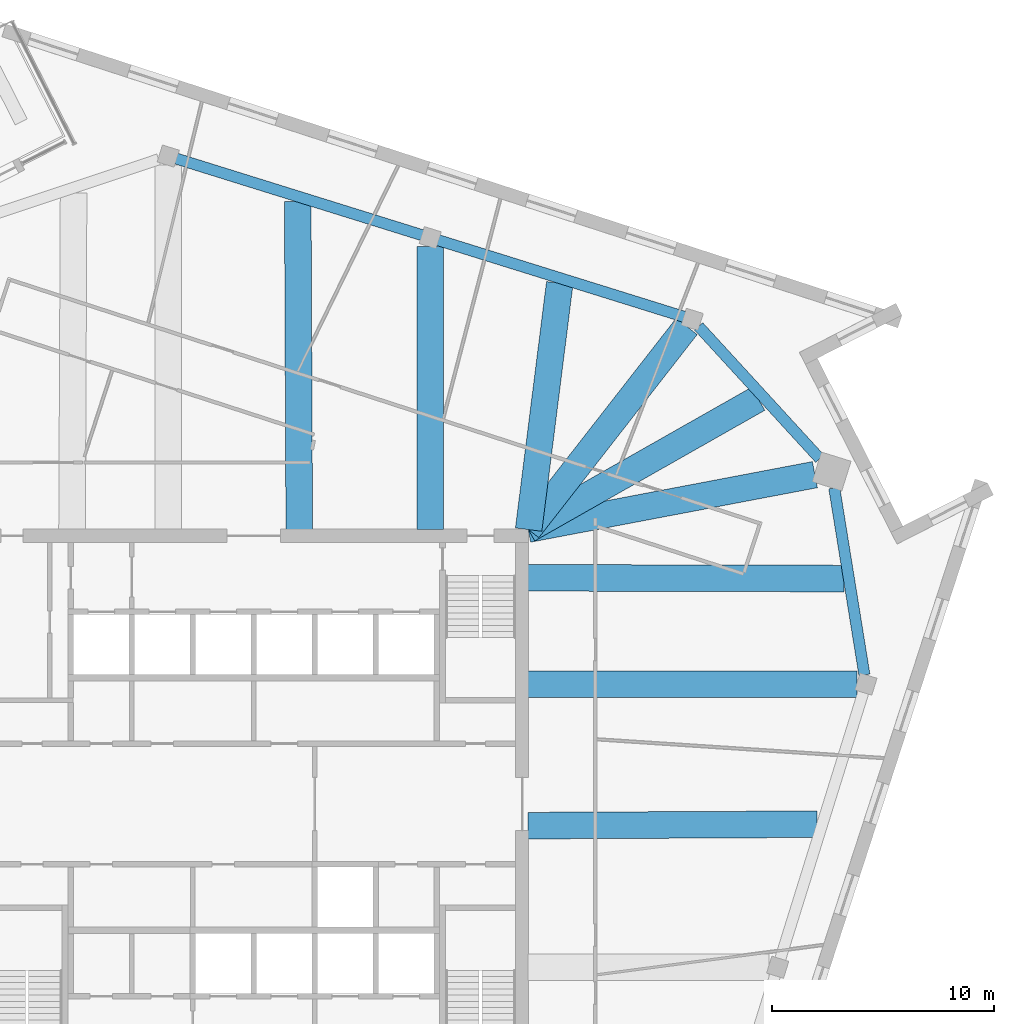
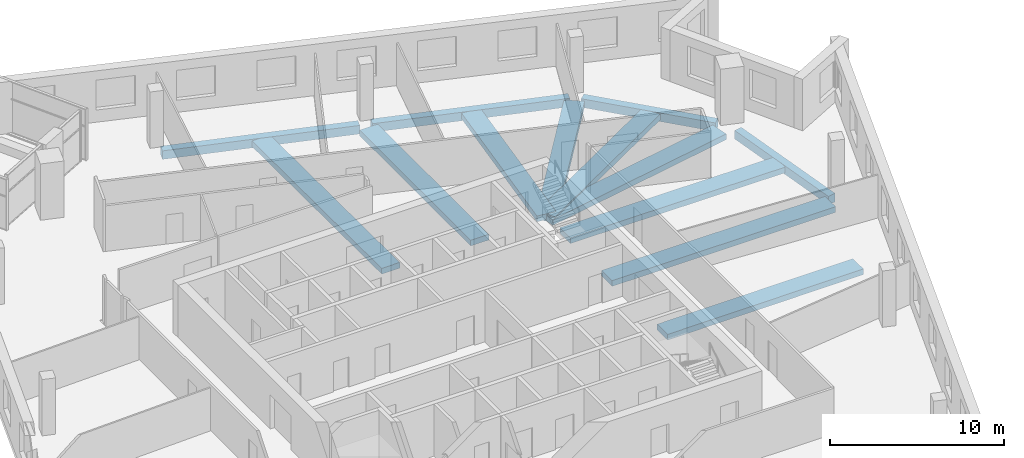
# One storey, part 3 of 13: 13 beams.
"""IFC4 building model written with IfcOpenShell, lengths in metres."""

from ifc_helpers import new_model, si_unit, direction, frame, origin, origin_2d, place, context, subcontext, project, spatial, rectangle, extrude, material, material_profile, profile_set, type_object, element, save


model = new_model("IFC4")

# Units and contexts
model_context = context("Model", 3, precision=1e-05, world=origin(), true_north=direction((0.0, 1.0)))
body_context = subcontext(model_context, "Body", "Model", "MODEL_VIEW")
ifc_project = project(units=[si_unit("LENGTHUNIT", "METRE"), si_unit("AREAUNIT", "SQUARE_METRE"), si_unit("VOLUMEUNIT", "CUBIC_METRE"), si_unit("PLANEANGLEUNIT", "RADIAN"), si_unit("MASSUNIT", "GRAM", prefix="KILO")], contexts=[model_context])

# Site, building, storey
site_placement = place(None, origin())
site = spatial("IfcSite", under=ifc_project, at=site_placement, CompositionType="ELEMENT")
building_placement = place(site_placement, origin())
building = spatial("IfcBuilding", under=site, at=building_placement, Name="Dilmun Exchange Tower", CompositionType="ELEMENT")
storey_placement = place(building_placement, frame((0.0, 0.0, 320.5)))
storey = spatial("IfcBuildingStorey", under=building, at=storey_placement, Name="L76", CompositionType="ELEMENT", Elevation=320.5)

# Beams
ifc_material = material(Name="Concrete C40/50", Category="concrete")
ifc_material_profile_1 = material_profile(ifc_material, rectangle(XDim=1.199951171875, YDim=0.39990234375, at=origin_2d()), Name="1200 x 400")
ifc_profile_set_1 = profile_set([ifc_material_profile_1], Name="Concrete C40/50")
beam_type_1 = type_object("IfcBeamType", Name="RC band beam 1200 x 400 C40/50", PredefinedType="BEAM", material=ifc_profile_set_1)
beam_1_placement = place(storey_placement, frame((27.216064453125, 5.406005859375, -0.64990234375), z_axis=(-1.0, 0.0, 0.0), x_axis=(0.0, -1.0, 0.0)))
element("IfcBeam", 1, at=beam_1_placement, inside=storey, type_object=beam_type_1, Name="Band beam 12", PredefinedType="BEAM", context=body_context, shape_type="SweptSolid", body=[
    extrude(rectangle(XDim=1.199951171875, YDim=0.39990234375, at=origin_2d()), origin(), (0.0, 0.0, 1.0), 14.843017578125),
])
beam_2_placement = place(storey_placement, frame((25.30712890625, 14.85205078125, -0.64990234375), z_axis=(-0.982429348436, -0.18663487169, 0.0), x_axis=(0.18663487169, -0.982429348436, 0.0)))
element("IfcBeam", 2, at=beam_2_placement, inside=storey, type_object=beam_type_1, Name="Band beam 13", PredefinedType="BEAM", context=body_context, shape_type="SweptSolid", body=[
    extrude(rectangle(XDim=1.199951171875, YDim=0.39990234375, at=origin_2d()), origin(), (0.0, 0.0, 1.0), 13.164794921875),
])
beam_3_placement = place(storey_placement, frame((19.52685546875, 21.541259765625, -0.64990234375), z_axis=(-0.614856714099, -0.788638840743, 0.0), x_axis=(0.788638840743, -0.614856714099, 0.0)))
element("IfcBeam", 3, at=beam_3_placement, inside=storey, type_object=beam_type_1, Name="Band beam 14", PredefinedType="BEAM", context=body_context, shape_type="SweptSolid", body=[
    extrude(rectangle(XDim=1.199951171875, YDim=0.39990234375, at=origin_2d()), origin(), (0.0, 0.0, 1.0), 11.6181640625),
])
beam_4_placement = place(storey_placement, frame((7.9580078125, 25.14697265625, -0.64990234375), z_axis=(0.0, -1.0, 0.0), x_axis=(1.0, 0.0, 0.0)))
element("IfcBeam", 4, at=beam_4_placement, inside=storey, type_object=beam_type_1, Name="Band beam 15", PredefinedType="BEAM", context=body_context, shape_type="SweptSolid", body=[
    extrude(rectangle(XDim=1.199951171875, YDim=0.39990234375, at=origin_2d()), origin(), (0.0, 0.0, 1.0), 12.77392578125),
])
beam_5_placement = place(storey_placement, frame((25.405517578125, -0.912109375, -0.550048828125), z_axis=(-0.999987018468, -0.005095379798, 0.0), x_axis=(0.005095379798, -0.999987018468, 0.0)))
element("IfcBeam", 5, at=beam_5_placement, inside=storey, type_object=beam_type_1, Name="Band beam 27", PredefinedType="BEAM", context=body_context, shape_type="SweptSolid", body=[
    extrude(rectangle(XDim=1.199951171875, YDim=0.39990234375, at=origin_2d()), origin(), (0.0, 0.0, 1.0), 13.03271484375),
])
beam_6_placement = place(storey_placement, frame((26.614013671875, 10.1650390625, -0.550048828125), z_axis=(-0.999996910379, 0.002485806038, 0.0), x_axis=(-0.002485806038, -0.999996910379, 0.0)))
element("IfcBeam", 6, at=beam_6_placement, inside=storey, type_object=beam_type_1, Name="Band beam 28", PredefinedType="BEAM", context=body_context, shape_type="SweptSolid", body=[
    extrude(rectangle(XDim=1.199951171875, YDim=0.39990234375, at=origin_2d()), origin(), (0.0, 0.0, 1.0), 14.240966796875),
])
beam_7_placement = place(storey_placement, frame((22.752197265625, 18.275390625, -0.550048828125), z_axis=(-0.869690188955, -0.493597989496, 0.0), x_axis=(0.493597989496, -0.869690188955, 0.0)))
element("IfcBeam", 7, at=beam_7_placement, inside=storey, type_object=beam_type_1, Name="Band beam 29", PredefinedType="BEAM", context=body_context, shape_type="SweptSolid", body=[
    extrude(rectangle(XDim=1.199951171875, YDim=0.39990234375, at=origin_2d()), origin(), (0.0, 0.0, 1.0), 11.93017578125),
])
beam_8_placement = place(storey_placement, frame((13.79931640625, 23.485107421875, -0.550048828125), z_axis=(-0.125252659456, -0.992124876867, 0.0), x_axis=(0.992124876867, -0.125252659456, 0.0)))
element("IfcBeam", 8, at=beam_8_placement, inside=storey, type_object=beam_type_1, Name="Band beam 30", PredefinedType="BEAM", context=body_context, shape_type="SweptSolid", body=[
    extrude(rectangle(XDim=1.199951171875, YDim=0.39990234375, at=origin_2d()), origin(), (0.0, 0.0, 1.0), 11.199951171875),
])
beam_9_placement = place(storey_placement, frame((1.984619140625, 27.16650390625, -0.550048828125), z_axis=(0.004488848064, -0.999989925071, 0.0), x_axis=(0.999989925071, 0.004488848064, 0.0)))
element("IfcBeam", 9, at=beam_9_placement, inside=storey, type_object=beam_type_1, Name="Band beam 31", PredefinedType="BEAM", context=body_context, shape_type="SweptSolid", body=[
    extrude(rectangle(XDim=1.199951171875, YDim=0.39990234375, at=origin_2d()), origin(), (0.0, 0.0, 1.0), 14.793701171875),
])
ifc_material_profile_2 = material_profile(ifc_material, rectangle(XDim=0.5, YDim=0.60009765625, at=origin_2d()), Name="500 x 600")
ifc_profile_set_2 = profile_set([ifc_material_profile_2], Name="Concrete C40/50")
beam_type_2 = type_object("IfcBeamType", Name="RC ring beam 500 x 600 C40/50", PredefinedType="SPANDREL", material=ifc_profile_set_2)
beam_10_placement = place(storey_placement, frame((27.541015625, 5.820556640625, -0.64990234375), z_axis=(-0.159356501233, 0.987221102649, 0.0), x_axis=(-0.987221102649, -0.159356501233, 0.0)))
element("IfcBeam", 10, at=beam_10_placement, inside=storey, type_object=beam_type_2, Name="Ring beam 12", PredefinedType="SPANDREL", context=body_context, shape_type="SweptSolid", body=[
    extrude(rectangle(XDim=0.5, YDim=0.60009765625, at=origin_2d()), origin(), (0.0, 0.0, 1.0), 8.5380859375),
])
beam_11_placement = place(storey_placement, frame((25.531005859375, 15.572265625, -0.64990234375), z_axis=(-0.675535971399, 0.737327031476, 0.0), x_axis=(-0.737327031476, -0.675535971399, 0.0)))
element("IfcBeam", 11, at=beam_11_placement, inside=storey, type_object=beam_type_2, Name="Ring beam 13", PredefinedType="SPANDREL", context=body_context, shape_type="SweptSolid", body=[
    extrude(rectangle(XDim=0.5, YDim=0.60009765625, at=origin_2d()), origin(), (0.0, 0.0, 1.0), 8.087890625),
])
beam_12_placement = place(storey_placement, frame((19.4169921875, 21.968017578125, -0.64990234375), z_axis=(-0.95471613385, 0.297518241065, 0.0), x_axis=(-0.297518241065, -0.95471613385, 0.0)))
element("IfcBeam", 12, at=beam_12_placement, inside=storey, type_object=beam_type_2, Name="Ring beam 14", PredefinedType="SPANDREL", context=body_context, shape_type="SweptSolid", body=[
    extrude(rectangle(XDim=0.5, YDim=0.60009765625, at=origin_2d()), origin(), (0.0, 0.0, 1.0), 11.62939453125),
])
beam_13_placement = place(storey_placement, frame((7.601806640625, 25.64990234375, -0.64990234375), z_axis=(-0.954732553331, 0.297465546931, 0.0), x_axis=(-0.297465546931, -0.954732553331, 0.0)))
element("IfcBeam", 13, at=beam_13_placement, inside=storey, type_object=beam_type_2, Name="Ring beam 15", PredefinedType="SPANDREL", context=body_context, shape_type="SweptSolid", body=[
    extrude(rectangle(XDim=0.5, YDim=0.60009765625, at=origin_2d()), origin(), (0.0, 0.0, 1.0), 11.628173828125),
])

save(model, "model.ifc")
